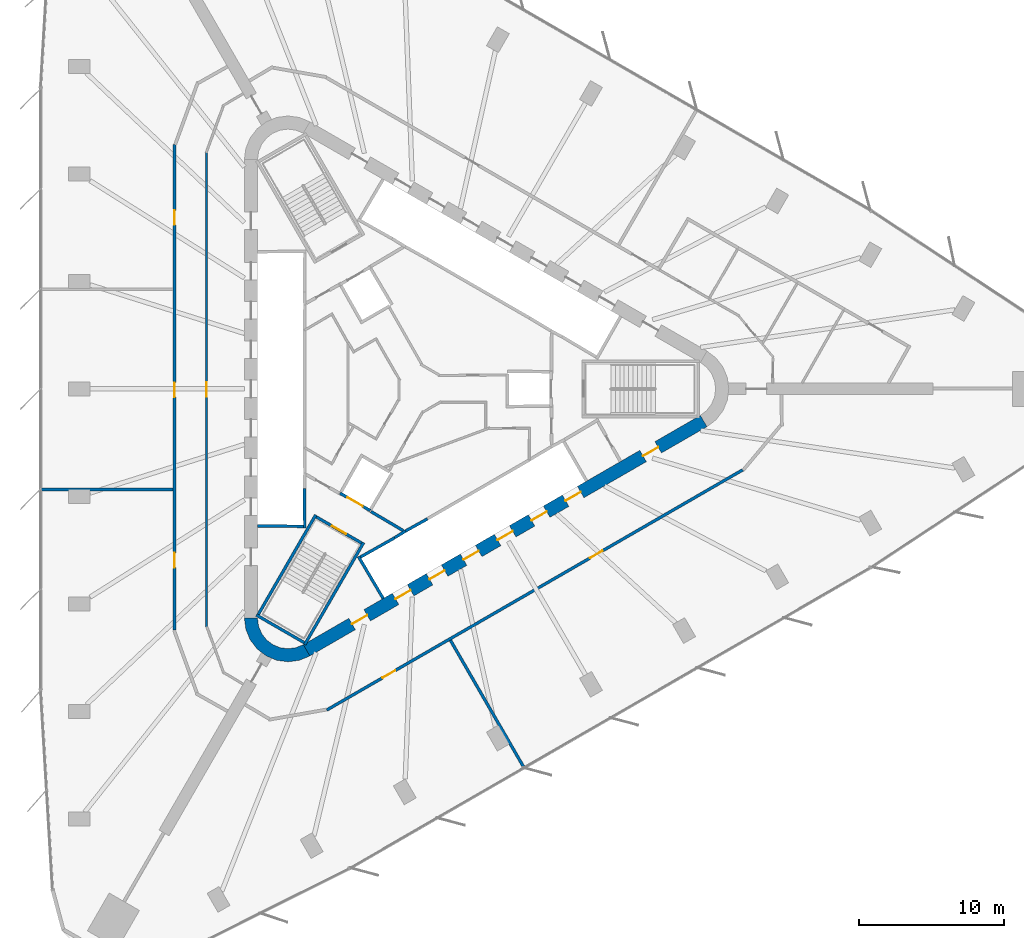
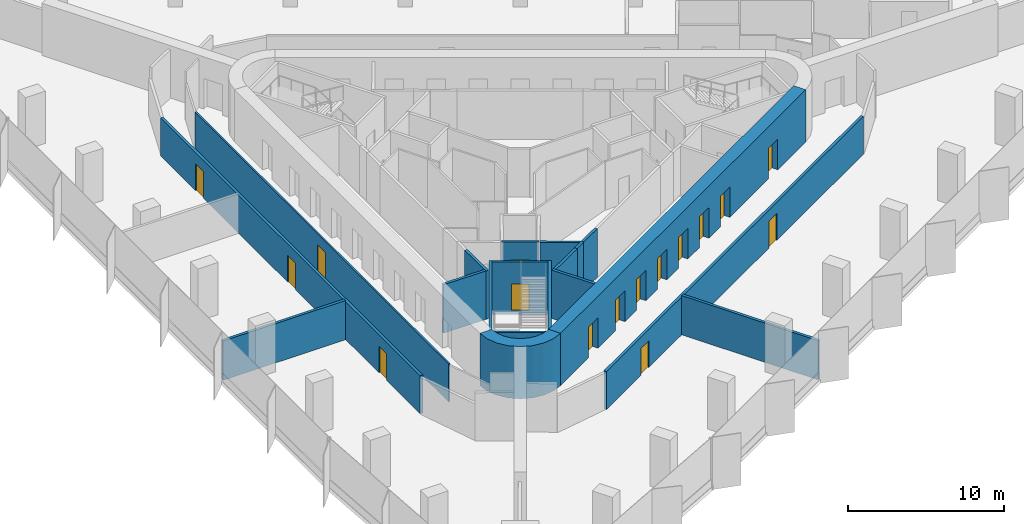
# One storey, part 9 of 14: 19 walls, 16 doors, 16 openings.
"""IFC4 building model written with IfcOpenShell, lengths in metres."""

from ifc_helpers import new_model, si_unit, direction, frame, frame_2d, origin, place, context, subcontext, project, spatial, polyline, rectangle, outline, extrude, material, layer, layer_set, type_object, element, fill, save


model = new_model("IFC4")

# Units and contexts
model_context = context("Model", 3, precision=1e-05, world=origin(), true_north=direction((0.0, 1.0)))
body_context = subcontext(model_context, "Body", "Model", "MODEL_VIEW")
ifc_project = project(units=[si_unit("LENGTHUNIT", "METRE"), si_unit("AREAUNIT", "SQUARE_METRE"), si_unit("VOLUMEUNIT", "CUBIC_METRE"), si_unit("PLANEANGLEUNIT", "RADIAN"), si_unit("MASSUNIT", "GRAM", prefix="KILO")], contexts=[model_context])

# Site, building, storey
site_placement = place(None, origin())
site = spatial("IfcSite", under=ifc_project, at=site_placement, CompositionType="ELEMENT")
building_placement = place(site_placement, origin())
building = spatial("IfcBuilding", under=site, at=building_placement, Name="Tanit Gate Tower", CompositionType="ELEMENT")
storey_placement = place(building_placement, frame((0.0, 0.0, 53.699951171875)))
storey = spatial("IfcBuildingStorey", under=building, at=storey_placement, Name="L09", CompositionType="ELEMENT", Elevation=53.699951171875)

# Wall, openings, doors
ifc_material_1 = material(Name="Concrete C60/75", Category="concrete")
ifc_layer_1 = layer(ifc_material_1, 0.89990234375)
ifc_layer_set_1 = layer_set([ifc_layer_1], Name="CORE WALL 900 C60/75")
wall_type_1 = type_object("IfcWallType", Name="CORE WALL 900 C60/75", PredefinedType="SHEAR", material=ifc_layer_set_1)
wall_1_placement = place(storey_placement, frame((-7.824951171875, -17.969970703125, 0.0), z_axis=(0.0, 0.0, 1.0), x_axis=(0.866028369851, 0.499994862586, 0.0)))
wall_1 = element("IfcWall", 1, at=wall_1_placement, inside=storey, type_object=wall_type_1, Name="CORE WALL", PredefinedType="SHEAR", context=body_context, shape_type="SweptSolid", body=[
    extrude(rectangle(XDim=31.523193359375, YDim=0.89990234375, at=frame_2d((15.76171875, 0.0))), origin(), (0.0, 0.0, 1.0), 4.10009765625),
])
opening_1_placement = place(wall_1_placement, frame((7.061767578125, 0.0, 0.0)))
opening_1 = element("IfcOpeningElement", 2, at=opening_1_placement, cuts=wall_1, Name="Opening LDSX1-S00", PredefinedType="OPENING", context=body_context, shape_type="SweptSolid", body=[
    extrude(rectangle(XDim=1.199951171875, YDim=2.39990234375, at=frame_2d((0.60009765625, 1.199951171875))), frame((0.0, 0.4599609375, 0.0), z_axis=(0.0, -1.0, 0.0), x_axis=(1.0, 0.0, 0.0)), (0.0, 0.0, 1.0), 0.919921875),
])
opening_2_placement = place(wall_1_placement, frame((9.76171875, 0.0, 0.0)))
opening_2 = element("IfcOpeningElement", 3, at=opening_2_placement, cuts=wall_1, Name="Opening LDSX2-S00", PredefinedType="OPENING", context=body_context, shape_type="SweptSolid", body=[
    extrude(rectangle(XDim=1.199951171875, YDim=2.39990234375, at=frame_2d((0.60009765625, 1.199951171875))), frame((0.0, 0.4599609375, 0.0), z_axis=(0.0, -1.0, 0.0), x_axis=(1.0, 0.0, 0.0)), (0.0, 0.0, 1.0), 0.919921875),
])
opening_3_placement = place(wall_1_placement, frame((12.461669921875, 0.0, 0.0)))
opening_3 = element("IfcOpeningElement", 4, at=opening_3_placement, cuts=wall_1, Name="Opening LDSX3-S00", PredefinedType="OPENING", context=body_context, shape_type="SweptSolid", body=[
    extrude(rectangle(XDim=1.199951171875, YDim=2.39990234375, at=frame_2d((0.60009765625, 1.199951171875))), frame((0.0, 0.4599609375, 0.0), z_axis=(0.0, -1.0, 0.0), x_axis=(1.0, 0.0, 0.0)), (0.0, 0.0, 1.0), 0.919921875),
])
opening_4_placement = place(wall_1_placement, frame((15.16162109375, 0.0, 0.0)))
opening_4 = element("IfcOpeningElement", 5, at=opening_4_placement, cuts=wall_1, Name="Opening LDSX4-S00", PredefinedType="OPENING", context=body_context, shape_type="SweptSolid", body=[
    extrude(rectangle(XDim=1.199951171875, YDim=2.39990234375, at=frame_2d((0.60009765625, 1.199951171875))), frame((0.0, 0.4599609375, 0.0), z_axis=(0.0, -1.0, 0.0), x_axis=(1.0, 0.0, 0.0)), (0.0, 0.0, 1.0), 0.919921875),
])
opening_5_placement = place(wall_1_placement, frame((17.861572265625, 0.0, 0.0)))
opening_5 = element("IfcOpeningElement", 6, at=opening_5_placement, cuts=wall_1, Name="Opening LDSV1-S00", PredefinedType="OPENING", context=body_context, shape_type="SweptSolid", body=[
    extrude(rectangle(XDim=1.199951171875, YDim=2.39990234375, at=frame_2d((0.60009765625, 1.199951171875))), frame((0.0, 0.4599609375, 0.0), z_axis=(0.0, -1.0, 0.0), x_axis=(1.0, 0.0, 0.0)), (0.0, 0.0, 1.0), 0.919921875),
])
opening_6_placement = place(wall_1_placement, frame((20.561767578125, 0.0, 0.0)))
opening_6 = element("IfcOpeningElement", 7, at=opening_6_placement, cuts=wall_1, Name="Opening LDSV2-S00", PredefinedType="OPENING", context=body_context, shape_type="SweptSolid", body=[
    extrude(rectangle(XDim=1.199951171875, YDim=2.39990234375, at=frame_2d((0.60009765625, 1.199951171875))), frame((0.0, 0.4599609375, 0.0), z_axis=(0.0, -1.0, 0.0), x_axis=(1.0, 0.0, 0.0)), (0.0, 0.0, 1.0), 0.919921875),
])
opening_7_placement = place(wall_1_placement, frame((26.711669921875, 0.0, 0.0)))
opening_7 = element("IfcOpeningElement", 8, at=opening_7_placement, cuts=wall_1, Name="Opening F12-S00-S1", PredefinedType="OPENING", context=body_context, shape_type="SweptSolid", body=[
    extrude(rectangle(XDim=1.199951171875, YDim=2.39990234375, at=frame_2d((0.60009765625, 1.199951171875))), frame((0.0, 0.4599609375, 0.0), z_axis=(0.0, -1.0, 0.0), x_axis=(1.0, 0.0, 0.0)), (0.0, 0.0, 1.0), 0.919921875),
])
opening_8_placement = place(wall_1_placement, frame((3.611572265625, 0.0, 0.0)))
opening_8 = element("IfcOpeningElement", 9, at=opening_8_placement, cuts=wall_1, Name="Opening F12-S00-FL3", PredefinedType="OPENING", context=body_context, shape_type="SweptSolid", body=[
    extrude(rectangle(XDim=1.199951171875, YDim=2.39990234375, at=frame_2d((0.60009765625, 1.199951171875))), frame((0.0, 0.4599609375, 0.0), z_axis=(0.0, -1.0, 0.0), x_axis=(1.0, 0.0, 0.0)), (0.0, 0.0, 1.0), 0.919921875),
])
ifc_material_2 = material(Name="Fire-rated steel door leaf", Category="steel")
door_type_1 = type_object("IfcDoorType", Name="INT-DOOR-FIRE-LOBBY-1200", OperationType="NOTDEFINED", PredefinedType="USERDEFINED", material=ifc_material_2)
door_1_placement = place(opening_7_placement, origin())
door_1 = element("IfcDoor", 10, at=door_1_placement, inside=storey, type_object=door_type_1, Name="Door F12-S00-S1", ObjectType="FIRE DOOR", OperationType="SINGLE_SWING_RIGHT", OverallHeight=2.39990234375, OverallWidth=1.199951171875, PredefinedType="USERDEFINED", context=body_context, shape_type="SweptSolid", body=[
    extrude(rectangle(XDim=1.199951171875, YDim=2.39990234375, at=frame_2d((0.60009765625, 1.199951171875))), frame((0.0, 0.02490234375, 0.0), z_axis=(0.0, -1.0, 0.0), x_axis=(1.0, 0.0, 0.0)), (0.0, 0.0, 1.0), 0.050048828125),
])
fill(opening_7, door_1)
door_2_placement = place(opening_8_placement, origin())
door_2 = element("IfcDoor", 11, at=door_2_placement, inside=storey, type_object=door_type_1, Name="Door F12-S00-FL3", ObjectType="FIRE DOOR", OperationType="SINGLE_SWING_LEFT", OverallHeight=2.39990234375, OverallWidth=1.199951171875, PredefinedType="USERDEFINED", context=body_context, shape_type="SweptSolid", body=[
    extrude(rectangle(XDim=1.199951171875, YDim=2.39990234375, at=frame_2d((0.60009765625, 1.199951171875))), frame((0.0, 0.02490234375, 0.0), z_axis=(0.0, -1.0, 0.0), x_axis=(1.0, 0.0, 0.0)), (0.0, 0.0, 1.0), 0.050048828125),
])
fill(opening_8, door_2)
ifc_material_3 = material(Name="Stainless steel sliding door leaf", Category="steel")
door_type_2 = type_object("IfcDoorType", Name="INT-DOOR-LANDING-1200", OperationType="NOTDEFINED", PredefinedType="USERDEFINED", material=ifc_material_3)
door_3_placement = place(opening_1_placement, origin())
door_3 = element("IfcDoor", 12, at=door_3_placement, inside=storey, type_object=door_type_2, Name="Door LDSX1-S00", ObjectType="LANDING DOOR", OperationType="SLIDING_TO_LEFT", OverallHeight=2.39990234375, OverallWidth=1.199951171875, PredefinedType="USERDEFINED", context=body_context, shape_type="SweptSolid", body=[
    extrude(rectangle(XDim=1.199951171875, YDim=2.39990234375, at=frame_2d((0.60009765625, 1.199951171875))), frame((0.0, 0.02490234375, 0.0), z_axis=(0.0, -1.0, 0.0), x_axis=(1.0, 0.0, 0.0)), (0.0, 0.0, 1.0), 0.050048828125),
])
fill(opening_1, door_3)
door_4_placement = place(opening_2_placement, origin())
door_4 = element("IfcDoor", 13, at=door_4_placement, inside=storey, type_object=door_type_2, Name="Door LDSX2-S00", ObjectType="LANDING DOOR", OperationType="SLIDING_TO_LEFT", OverallHeight=2.39990234375, OverallWidth=1.199951171875, PredefinedType="USERDEFINED", context=body_context, shape_type="SweptSolid", body=[
    extrude(rectangle(XDim=1.199951171875, YDim=2.39990234375, at=frame_2d((0.60009765625, 1.199951171875))), frame((0.0, 0.02490234375, 0.0), z_axis=(0.0, -1.0, 0.0), x_axis=(1.0, 0.0, 0.0)), (0.0, 0.0, 1.0), 0.050048828125),
])
fill(opening_2, door_4)
door_5_placement = place(opening_3_placement, origin())
door_5 = element("IfcDoor", 14, at=door_5_placement, inside=storey, type_object=door_type_2, Name="Door LDSX3-S00", ObjectType="LANDING DOOR", OperationType="SLIDING_TO_LEFT", OverallHeight=2.39990234375, OverallWidth=1.199951171875, PredefinedType="USERDEFINED", context=body_context, shape_type="SweptSolid", body=[
    extrude(rectangle(XDim=1.199951171875, YDim=2.39990234375, at=frame_2d((0.60009765625, 1.199951171875))), frame((0.0, 0.02490234375, 0.0), z_axis=(0.0, -1.0, 0.0), x_axis=(1.0, 0.0, 0.0)), (0.0, 0.0, 1.0), 0.050048828125),
])
fill(opening_3, door_5)
door_6_placement = place(opening_4_placement, origin())
door_6 = element("IfcDoor", 15, at=door_6_placement, inside=storey, type_object=door_type_2, Name="Door LDSX4-S00", ObjectType="LANDING DOOR", OperationType="SLIDING_TO_LEFT", OverallHeight=2.39990234375, OverallWidth=1.199951171875, PredefinedType="USERDEFINED", context=body_context, shape_type="SweptSolid", body=[
    extrude(rectangle(XDim=1.199951171875, YDim=2.39990234375, at=frame_2d((0.60009765625, 1.199951171875))), frame((0.0, 0.02490234375, 0.0), z_axis=(0.0, -1.0, 0.0), x_axis=(1.0, 0.0, 0.0)), (0.0, 0.0, 1.0), 0.050048828125),
])
fill(opening_4, door_6)
door_7_placement = place(opening_5_placement, origin())
door_7 = element("IfcDoor", 16, at=door_7_placement, inside=storey, type_object=door_type_2, Name="Door LDSV1-S00", ObjectType="LANDING DOOR", OperationType="SLIDING_TO_LEFT", OverallHeight=2.39990234375, OverallWidth=1.199951171875, PredefinedType="USERDEFINED", context=body_context, shape_type="SweptSolid", body=[
    extrude(rectangle(XDim=1.199951171875, YDim=2.39990234375, at=frame_2d((0.60009765625, 1.199951171875))), frame((0.0, 0.02490234375, 0.0), z_axis=(0.0, -1.0, 0.0), x_axis=(1.0, 0.0, 0.0)), (0.0, 0.0, 1.0), 0.050048828125),
])
fill(opening_5, door_7)
door_8_placement = place(opening_6_placement, origin())
door_8 = element("IfcDoor", 17, at=door_8_placement, inside=storey, type_object=door_type_2, Name="Door LDSV2-S00", ObjectType="LANDING DOOR", OperationType="SLIDING_TO_LEFT", OverallHeight=2.39990234375, OverallWidth=1.199951171875, PredefinedType="USERDEFINED", context=body_context, shape_type="SweptSolid", body=[
    extrude(rectangle(XDim=1.199951171875, YDim=2.39990234375, at=frame_2d((0.60009765625, 1.199951171875))), frame((0.0, 0.02490234375, 0.0), z_axis=(0.0, -1.0, 0.0), x_axis=(1.0, 0.0, 0.0)), (0.0, 0.0, 1.0), 0.050048828125),
])
fill(opening_6, door_8)

# Walls
wall_2_placement = place(storey_placement, origin())
element("IfcWall", 18, at=wall_2_placement, inside=storey, type_object=wall_type_1, Name="CORE WALL CORNER", PredefinedType="SHEAR", context=body_context, shape_type="SweptSolid", body=[
    extrude(outline(polyline([(-12.10009765625, -15.76171875), (-11.997802734375, -16.5380859375), (-11.697998046875, -17.26171875), (-11.22119140625, -17.883056640625), (-10.60009765625, -18.359619140625), (-9.87646484375, -18.659423828125), (-9.10009765625, -18.76171875), (-8.323486328125, -18.659423828125), (-7.60009765625, -18.359619140625), (-8.050048828125, -17.580322265625), (-8.556396484375, -17.7900390625), (-9.10009765625, -17.86181640625), (-9.6435546875, -17.7900390625), (-10.14990234375, -17.580322265625), (-10.5849609375, -17.24658203125), (-10.918701171875, -16.811767578125), (-11.12841796875, -16.30517578125), (-11.199951171875, -15.76171875), (-12.10009765625, -15.76171875)])), origin(), (0.0, 0.0, 1.0), 4.10009765625),
])
ifc_material_4 = material(Name="Fire-rated gypsum board partition")
ifc_layer_2 = layer(ifc_material_4, 0.199951171875)
ifc_layer_set_2 = layer_set([ifc_layer_2], Name="INT-WALL-COMPARTMENT")
wall_type_2 = type_object("IfcWallType", Name="INT-WALL-COMPARTMENT", PredefinedType="PARTITIONING", material=ifc_layer_set_2)
wall_3_placement = place(storey_placement, frame((-3.400634765625, -8.43017578125, 0.0), z_axis=(0.0, 0.0, 1.0), x_axis=(0.860615607571, -0.509255118781, 0.0)))
element("IfcWall", 19, at=wall_3_placement, inside=storey, type_object=wall_type_2, Name="Wall Compartment W063", PredefinedType="PARTITIONING", context=body_context, shape_type="SweptSolid", body=[
    extrude(rectangle(XDim=2.58056640625, YDim=0.199951171875, at=frame_2d((1.290283203125, 0.0))), origin(), (0.0, 0.0, 1.0), 3.800048828125),
])

# Wall, openings, doors
wall_4_placement = place(storey_placement, frame((-16.89990234375, 16.787353515625, 0.0), z_axis=(0.0, 0.0, 1.0), x_axis=(0.0, -1.0, 0.0)))
wall_4 = element("IfcWall", 20, at=wall_4_placement, inside=storey, type_object=wall_type_2, Name="Wall Compartment W097", PredefinedType="PARTITIONING", context=body_context, shape_type="SweptSolid", body=[
    extrude(rectangle(XDim=33.374755859375, YDim=0.199951171875, at=frame_2d((16.6875, 0.0))), origin(), (0.0, 0.0, 1.0), 2.97998046875),
])
opening_9_placement = place(wall_4_placement, frame((28.066650390625, 0.0, 0.0)))
opening_9 = element("IfcOpeningElement", 21, at=opening_9_placement, cuts=wall_4, Name="Opening F10-S00-21", PredefinedType="OPENING", context=body_context, shape_type="SweptSolid", body=[
    extrude(rectangle(XDim=1.0, YDim=2.10009765625, at=frame_2d((0.5, 1.050048828125))), frame((0.0, 0.10986328125, 0.0), z_axis=(0.0, -1.0, 0.0), x_axis=(1.0, 0.0, 0.0)), (0.0, 0.0, 1.0), 0.219970703125),
])
opening_10_placement = place(wall_4_placement, frame((16.3466796875, 0.0, 0.0)))
opening_10 = element("IfcOpeningElement", 22, at=opening_10_placement, cuts=wall_4, Name="Opening F10-S00-22", PredefinedType="OPENING", context=body_context, shape_type="SweptSolid", body=[
    extrude(rectangle(XDim=1.0, YDim=2.10009765625, at=frame_2d((0.5, 1.050048828125))), frame((0.0, 0.10986328125, 0.0), z_axis=(0.0, -1.0, 0.0), x_axis=(1.0, 0.0, 0.0)), (0.0, 0.0, 1.0), 0.219970703125),
])
opening_11_placement = place(wall_4_placement, frame((4.517578125, 0.0, 0.0)))
opening_11 = element("IfcOpeningElement", 23, at=opening_11_placement, cuts=wall_4, Name="Opening F10-S00-23", PredefinedType="OPENING", context=body_context, shape_type="SweptSolid", body=[
    extrude(rectangle(XDim=1.0, YDim=2.10009765625, at=frame_2d((0.5, 1.050048828125))), frame((0.0, 0.10986328125, 0.0), z_axis=(0.0, -1.0, 0.0), x_axis=(1.0, 0.0, 0.0)), (0.0, 0.0, 1.0), 0.219970703125),
])
ifc_material_5 = material(Name="Fire-rated steel door leaf", Category="steel")
door_type_3 = type_object("IfcDoorType", Name="INT-DOOR-FIRE-1000", OperationType="NOTDEFINED", PredefinedType="USERDEFINED", material=ifc_material_5)
door_9_placement = place(opening_9_placement, origin())
door_9 = element("IfcDoor", 24, at=door_9_placement, inside=storey, type_object=door_type_3, Name="Door F10-S00-21", ObjectType="FIRE DOOR", OperationType="SINGLE_SWING_LEFT", OverallHeight=2.10009765625, OverallWidth=1.0, PredefinedType="USERDEFINED", context=body_context, shape_type="SweptSolid", body=[
    extrude(rectangle(XDim=1.0, YDim=2.10009765625, at=frame_2d((0.5, 1.050048828125))), frame((0.0, 0.02490234375, 0.0), z_axis=(0.0, -1.0, 0.0), x_axis=(1.0, 0.0, 0.0)), (0.0, 0.0, 1.0), 0.050048828125),
])
fill(opening_9, door_9)
door_10_placement = place(opening_10_placement, origin())
door_10 = element("IfcDoor", 25, at=door_10_placement, inside=storey, type_object=door_type_3, Name="Door F10-S00-22", ObjectType="FIRE DOOR", OperationType="SINGLE_SWING_RIGHT", OverallHeight=2.10009765625, OverallWidth=1.0, PredefinedType="USERDEFINED", context=body_context, shape_type="SweptSolid", body=[
    extrude(rectangle(XDim=1.0, YDim=2.10009765625, at=frame_2d((0.5, 1.050048828125))), frame((0.0, 0.02490234375, 0.0), z_axis=(0.0, -1.0, 0.0), x_axis=(1.0, 0.0, 0.0)), (0.0, 0.0, 1.0), 0.050048828125),
])
fill(opening_10, door_10)
door_11_placement = place(opening_11_placement, origin())
door_11 = element("IfcDoor", 26, at=door_11_placement, inside=storey, type_object=door_type_3, Name="Door F10-S00-23", ObjectType="FIRE DOOR", OperationType="SINGLE_SWING_RIGHT", OverallHeight=2.10009765625, OverallWidth=1.0, PredefinedType="USERDEFINED", context=body_context, shape_type="SweptSolid", body=[
    extrude(rectangle(XDim=1.0, YDim=2.10009765625, at=frame_2d((0.5, 1.050048828125))), frame((0.0, 0.02490234375, 0.0), z_axis=(0.0, -1.0, 0.0), x_axis=(1.0, 0.0, 0.0)), (0.0, 0.0, 1.0), 0.050048828125),
])
fill(opening_11, door_11)

wall_5_placement = place(storey_placement, frame((-6.435546875, -22.075439453125, 0.0), z_axis=(0.0, 0.0, 1.0), x_axis=(0.866022453651, 0.500005109747, 0.0)))
wall_5 = element("IfcWall", 27, at=wall_5_placement, inside=storey, type_object=wall_type_2, Name="Wall Compartment W112", PredefinedType="PARTITIONING", context=body_context, shape_type="SweptSolid", body=[
    extrude(rectangle(XDim=33.022216796875, YDim=0.199951171875, at=frame_2d((16.51123046875, 0.0))), origin(), (0.0, 0.0, 1.0), 2.97998046875),
])
opening_12_placement = place(wall_5_placement, frame((20.890380859375, 0.0, 0.0)))
opening_12 = element("IfcOpeningElement", 28, at=opening_12_placement, cuts=wall_5, Name="Opening F10-S00-26", PredefinedType="OPENING", context=body_context, shape_type="SweptSolid", body=[
    extrude(rectangle(XDim=1.0, YDim=2.10009765625, at=frame_2d((0.5, 1.050048828125))), frame((0.0, 0.10986328125, 0.0), z_axis=(0.0, -1.0, 0.0), x_axis=(1.0, 0.0, 0.0)), (0.0, 0.0, 1.0), 0.219970703125),
])
opening_13_placement = place(wall_5_placement, frame((4.42919921875, 0.0, 0.0)))
opening_13 = element("IfcOpeningElement", 29, at=opening_13_placement, cuts=wall_5, Name="Opening F10-S00-27", PredefinedType="OPENING", context=body_context, shape_type="SweptSolid", body=[
    extrude(rectangle(XDim=1.0, YDim=2.10009765625, at=frame_2d((0.5, 1.050048828125))), frame((0.0, 0.10986328125, 0.0), z_axis=(0.0, -1.0, 0.0), x_axis=(1.0, 0.0, 0.0)), (0.0, 0.0, 1.0), 0.219970703125),
])
door_12_placement = place(opening_12_placement, origin())
door_12 = element("IfcDoor", 30, at=door_12_placement, inside=storey, type_object=door_type_3, Name="Door F10-S00-26", ObjectType="FIRE DOOR", OperationType="SINGLE_SWING_LEFT", OverallHeight=2.10009765625, OverallWidth=1.0, PredefinedType="USERDEFINED", context=body_context, shape_type="SweptSolid", body=[
    extrude(rectangle(XDim=1.0, YDim=2.10009765625, at=frame_2d((0.5, 1.050048828125))), frame((0.0, 0.02490234375, 0.0), z_axis=(0.0, -1.0, 0.0), x_axis=(1.0, 0.0, 0.0)), (0.0, 0.0, 1.0), 0.050048828125),
])
fill(opening_12, door_12)
door_13_placement = place(opening_13_placement, origin())
door_13 = element("IfcDoor", 31, at=door_13_placement, inside=storey, type_object=door_type_3, Name="Door F10-S00-27", ObjectType="FIRE DOOR", OperationType="SINGLE_SWING_LEFT", OverallHeight=2.10009765625, OverallWidth=1.0, PredefinedType="USERDEFINED", context=body_context, shape_type="SweptSolid", body=[
    extrude(rectangle(XDim=1.0, YDim=2.10009765625, at=frame_2d((0.5, 1.050048828125))), frame((0.0, 0.02490234375, 0.0), z_axis=(0.0, -1.0, 0.0), x_axis=(1.0, 0.0, 0.0)), (0.0, 0.0, 1.0), 0.050048828125),
])
fill(opening_13, door_13)

# Walls
wall_6_placement = place(storey_placement, frame((-17.0, -6.9111328125, 0.0), z_axis=(0.0, 0.0, 1.0), x_axis=(-0.999999996767, -8.0416019e-05, 0.0)))
element("IfcWall", 32, at=wall_6_placement, inside=storey, type_object=wall_type_2, Name="Wall Compartment W115", PredefinedType="PARTITIONING", context=body_context, shape_type="SweptSolid", body=[
    extrude(rectangle(XDim=9.10791015625, YDim=0.199951171875, at=frame_2d((4.553955078125, 0.0))), origin(), (0.0, 0.0, 1.0), 3.080078125),
])
wall_7_placement = place(storey_placement, frame((2.065673828125, -17.28271484375, 0.0), z_axis=(0.0, 0.0, 1.0), x_axis=(0.5000534592, -0.865994536901, 0.0)))
element("IfcWall", 33, at=wall_7_placement, inside=storey, type_object=wall_type_2, Name="Wall Compartment W130", PredefinedType="PARTITIONING", context=body_context, shape_type="SweptSolid", body=[
    extrude(rectangle(XDim=10.10888671875, YDim=0.199951171875, at=frame_2d((5.054443359375, 0.0))), origin(), (0.0, 0.0, 1.0), 3.080078125),
])

# Wall, opening, door
ifc_material_6 = material(Name="Gypsum board partition")
ifc_layer_3 = layer(ifc_material_6, 0.1201171875)
ifc_layer_set_3 = layer_set([ifc_layer_3], Name="INT-WALL-PARTITION")
wall_type_3 = type_object("IfcWallType", Name="INT-WALL-PARTITION", PredefinedType="PARTITIONING", material=ifc_layer_set_3)
wall_8_placement = place(storey_placement, frame((-14.699951171875, 16.239501953125, 0.0), z_axis=(0.0, 0.0, 1.0), x_axis=(0.0, -1.0, 0.0)))
wall_8 = element("IfcWall", 34, at=wall_8_placement, inside=storey, type_object=wall_type_3, Name="Wall Partition W090", PredefinedType="PARTITIONING", context=body_context, shape_type="SweptSolid", body=[
    extrude(rectangle(XDim=32.598876953125, YDim=0.1201171875, at=frame_2d((16.29931640625, 0.0))), origin(), (0.0, 0.0, 1.0), 2.97998046875),
])
opening_14_placement = place(wall_8_placement, frame((15.76953125, 0.0, 0.0)))
opening_14 = element("IfcOpeningElement", 35, at=opening_14_placement, cuts=wall_8, Name="Opening D10-S00-16", PredefinedType="OPENING", context=body_context, shape_type="SweptSolid", body=[
    extrude(rectangle(XDim=1.0, YDim=2.10009765625, at=frame_2d((0.5, 1.050048828125))), frame((0.0, 0.070068359375, 0.0), z_axis=(0.0, -1.0, 0.0), x_axis=(1.0, 0.0, 0.0)), (0.0, 0.0, 1.0), 0.14013671875),
])
ifc_material_7 = material(Name="Timber door leaf", Category="wood")
door_type_4 = type_object("IfcDoorType", Name="INT-DOOR-SINGLE-1000", OperationType="NOTDEFINED", PredefinedType="NOTDEFINED", material=ifc_material_7)
door_14_placement = place(opening_14_placement, origin())
door_14 = element("IfcDoor", 36, at=door_14_placement, inside=storey, type_object=door_type_4, Name="Door D10-S00-16", OperationType="SINGLE_SWING_RIGHT", OverallHeight=2.10009765625, OverallWidth=1.0, PredefinedType="NOTDEFINED", context=body_context, shape_type="SweptSolid", body=[
    extrude(rectangle(XDim=1.0, YDim=2.10009765625, at=frame_2d((0.5, 1.050048828125))), frame((0.0, 0.02490234375, 0.0), z_axis=(0.0, -1.0, 0.0), x_axis=(1.0, 0.0, 0.0)), (0.0, 0.0, 1.0), 0.050048828125),
])
fill(opening_14, door_14)

# Walls
ifc_material_8 = material(Name="Gypsum shaft wall system")
ifc_layer_4 = layer(ifc_material_8, 0.199951171875)
ifc_layer_set_4 = layer_set([ifc_layer_4], Name="INT-WALL-SHAFT")
wall_type_4 = type_object("IfcWallType", Name="INT-WALL-SHAFT", PredefinedType="PLUMBINGWALL", material=ifc_layer_set_4)
wall_9_placement = place(storey_placement, frame((-7.97900390625, -6.85009765625, 0.0), z_axis=(0.0, 0.0, 1.0), x_axis=(0.011121475088, -0.999938154483, 0.0)))
element("IfcWall", 37, at=wall_9_placement, inside=storey, type_object=wall_type_4, Name="Wall Shaft W011", PredefinedType="PLUMBINGWALL", context=body_context, shape_type="SweptSolid", body=[
    extrude(rectangle(XDim=2.7001953125, YDim=0.199951171875, at=frame_2d((1.35009765625, 0.0))), origin(), (0.0, 0.0, 1.0), 3.800048828125),
])
wall_10_placement = place(storey_placement, frame((-8.050048828125, -9.448974609375, 0.0), z_axis=(0.0, 0.0, 1.0), x_axis=(-0.999957467379, 0.009222983926, 0.0)))
element("IfcWall", 38, at=wall_10_placement, inside=storey, type_object=wall_type_4, Name="Wall Shaft W012", PredefinedType="PLUMBINGWALL", context=body_context, shape_type="SweptSolid", body=[
    extrude(rectangle(XDim=3.150146484375, YDim=0.199951171875, at=frame_2d((1.5751953125, 0.0))), origin(), (0.0, 0.0, 1.0), 3.800048828125),
])
wall_11_placement = place(storey_placement, frame((-2.557861328125, -14.409423828125, 0.0), z_axis=(0.0, 0.0, 1.0), x_axis=(-0.507997497166, 0.861358544901, 0.0)))
element("IfcWall", 39, at=wall_11_placement, inside=storey, type_object=wall_type_4, Name="Wall Shaft W027", PredefinedType="PLUMBINGWALL", context=body_context, shape_type="SweptSolid", body=[
    extrude(rectangle(XDim=3.350341796875, YDim=0.199951171875, at=frame_2d((1.67529296875, 0.0))), origin(), (0.0, 0.0, 1.0), 3.800048828125),
])
wall_12_placement = place(storey_placement, frame((-1.7685546875, -10.23681640625, 0.0), z_axis=(0.0, 0.0, 1.0), x_axis=(-0.871534483978, -0.490334215854, 0.0)))
element("IfcWall", 40, at=wall_12_placement, inside=storey, type_object=wall_type_4, Name="Wall Shaft W028", PredefinedType="PLUMBINGWALL", context=body_context, shape_type="SweptSolid", body=[
    extrude(rectangle(XDim=2.7001953125, YDim=0.199951171875, at=frame_2d((1.35009765625, 0.0))), origin(), (0.0, 0.0, 1.0), 3.800048828125),
])
wall_13_placement = place(storey_placement, frame((-1.02392578125, -9.77099609375, 0.0), z_axis=(0.0, 0.0, 1.0), x_axis=(-0.850348075135, -0.526220629693, 0.0)))
element("IfcWall", 41, at=wall_13_placement, inside=storey, type_object=wall_type_4, Name="Wall Shaft W029", PredefinedType="PLUMBINGWALL", context=body_context, shape_type="SweptSolid", body=[
    extrude(rectangle(XDim=0.878173828125, YDim=0.199951171875, at=frame_2d((0.43896484375, 0.0))), origin(), (0.0, 0.0, 1.0), 3.800048828125),
])
wall_14_placement = place(storey_placement, frame((-1.130126953125, -9.831298828125, 0.0), z_axis=(0.0, 0.0, 1.0), x_axis=(0.874269620932, 0.485440655401, 0.0)))
element("IfcWall", 42, at=wall_14_placement, inside=storey, type_object=wall_type_4, Name="Wall Shaft W030", PredefinedType="PLUMBINGWALL", context=body_context, shape_type="SweptSolid", body=[
    extrude(rectangle(XDim=1.8447265625, YDim=0.199951171875, at=frame_2d((0.92236328125, 0.0))), origin(), (0.0, 0.0, 1.0), 3.800048828125),
])

# Wall, opening, door
wall_15_placement = place(storey_placement, frame((-3.44580078125, -8.3681640625, 0.0), z_axis=(0.0, 0.0, 1.0), x_axis=(-0.866024647952, 0.500001309137, 0.0)))
wall_15 = element("IfcWall", 43, at=wall_15_placement, inside=storey, type_object=wall_type_4, Name="Wall Shaft W053", PredefinedType="PLUMBINGWALL", context=body_context, shape_type="SweptSolid", body=[
    extrude(rectangle(XDim=2.39990234375, YDim=0.199951171875, at=frame_2d((1.199951171875, 0.0))), origin(), (0.0, 0.0, 1.0), 3.800048828125),
])
opening_15_placement = place(wall_15_placement, frame((0.60009765625, 0.0, 0.0)))
opening_15 = element("IfcOpeningElement", 44, at=opening_15_placement, cuts=wall_15, Name="Opening LDFL3-L09", PredefinedType="OPENING", context=body_context, shape_type="SweptSolid", body=[
    extrude(rectangle(XDim=1.199951171875, YDim=2.39990234375, at=frame_2d((0.60009765625, 1.199951171875))), frame((0.0, 0.10986328125, 0.0), z_axis=(0.0, -1.0, 0.0), x_axis=(1.0, 0.0, 0.0)), (0.0, 0.0, 1.0), 0.219970703125),
])
door_15_placement = place(opening_15_placement, origin())
door_15 = element("IfcDoor", 45, at=door_15_placement, inside=storey, type_object=door_type_2, Name="Door LDFL3-L09", ObjectType="LANDING DOOR", OperationType="SLIDING_TO_LEFT", OverallHeight=2.39990234375, OverallWidth=1.199951171875, PredefinedType="USERDEFINED", context=body_context, shape_type="SweptSolid", body=[
    extrude(rectangle(XDim=1.199951171875, YDim=2.39990234375, at=frame_2d((0.60009765625, 1.199951171875))), frame((0.0, 0.02490234375, 0.0), z_axis=(0.0, -1.0, 0.0), x_axis=(1.0, 0.0, 0.0)), (0.0, 0.0, 1.0), 0.050048828125),
])
fill(opening_15, door_15)

# Walls
ifc_material_9 = material(Name="Concrete C40/50", Category="concrete")
ifc_layer_5 = layer(ifc_material_9, 0.199951171875)
ifc_layer_set_5 = layer_set([ifc_layer_5], Name="INT-WALL-STAIR")
wall_type_5 = type_object("IfcWallType", Name="INT-WALL-STAIR", PredefinedType="SHEAR", material=ifc_layer_set_5)
wall_16_placement = place(storey_placement, frame((-3.904541015625, -10.56298828125, -0.300048828125), z_axis=(0.0, 0.0, 1.0), x_axis=(-0.500012932018, -0.866017937352, 0.0)))
element("IfcWall", 46, at=wall_16_placement, inside=storey, type_object=wall_type_5, Name="Wall Stair W049", PredefinedType="SHEAR", context=body_context, shape_type="SweptSolid", body=[
    extrude(rectangle(XDim=8.099853515625, YDim=0.199951171875, at=frame_2d((4.0498046875, 0.0))), origin(), (0.0, 0.0, 1.0), 4.10009765625),
])
wall_17_placement = place(storey_placement, frame((-11.281982421875, -15.541015625, -0.300048828125), z_axis=(0.0, 0.0, 1.0), x_axis=(0.866000483506, -0.500043160704, 0.0)))
element("IfcWall", 47, at=wall_17_placement, inside=storey, type_object=wall_type_5, Name="Wall Stair W050", PredefinedType="SHEAR", context=body_context, shape_type="SweptSolid", body=[
    extrude(rectangle(XDim=3.800048828125, YDim=0.199951171875, at=frame_2d((1.89990234375, 0.0))), origin(), (0.0, 0.0, 1.0), 4.10009765625),
])
wall_18_placement = place(storey_placement, frame((-7.195556640625, -8.662841796875, -0.300048828125), z_axis=(0.0, 0.0, 1.0), x_axis=(-0.499997992926, -0.866026562566, 0.0)))
element("IfcWall", 48, at=wall_18_placement, inside=storey, type_object=wall_type_5, Name="Wall Stair W051", PredefinedType="SHEAR", context=body_context, shape_type="SweptSolid", body=[
    extrude(rectangle(XDim=7.89990234375, YDim=0.199951171875, at=frame_2d((3.949951171875, 0.0))), origin(), (0.0, 0.0, 1.0), 4.10009765625),
])

# Wall, opening, door
wall_19_placement = place(storey_placement, frame((-4.041259765625, -10.599365234375, -0.300048828125), z_axis=(0.0, 0.0, 1.0), x_axis=(-0.866047807691, 0.499961193289, 0.0)))
wall_19 = element("IfcWall", 49, at=wall_19_placement, inside=storey, type_object=wall_type_5, Name="Wall Stair W052", PredefinedType="SHEAR", context=body_context, shape_type="SweptSolid", body=[
    extrude(rectangle(XDim=3.599853515625, YDim=0.199951171875, at=frame_2d((1.7998046875, 0.0))), origin(), (0.0, 0.0, 1.0), 4.10009765625),
])
opening_16_placement = place(wall_19_placement, frame((1.25, 0.0, 0.300048828125)))
opening_16 = element("IfcOpeningElement", 50, at=opening_16_placement, cuts=wall_19, Name="Opening S11-S00-07", PredefinedType="OPENING", context=body_context, shape_type="SweptSolid", body=[
    extrude(rectangle(XDim=1.10009765625, YDim=2.10009765625, at=frame_2d((0.550048828125, 1.050048828125))), frame((0.0, 0.10986328125, 0.0), z_axis=(0.0, -1.0, 0.0), x_axis=(1.0, 0.0, 0.0)), (0.0, 0.0, 1.0), 0.219970703125),
])
ifc_material_10 = material(Name="Timber door leaf", Category="wood")
door_type_5 = type_object("IfcDoorType", Name="INT-DOOR-STAIR-1100", OperationType="NOTDEFINED", PredefinedType="USERDEFINED", material=ifc_material_10)
door_16_placement = place(opening_16_placement, origin())
door_16 = element("IfcDoor", 51, at=door_16_placement, inside=storey, type_object=door_type_5, Name="Door S11-S00-07", ObjectType="FIRE DOOR", OperationType="SINGLE_SWING_LEFT", OverallHeight=2.10009765625, OverallWidth=1.10009765625, PredefinedType="USERDEFINED", context=body_context, shape_type="SweptSolid", body=[
    extrude(rectangle(XDim=1.10009765625, YDim=2.10009765625, at=frame_2d((0.550048828125, 1.050048828125))), frame((0.0, 0.02490234375, 0.0), z_axis=(0.0, -1.0, 0.0), x_axis=(1.0, 0.0, 0.0)), (0.0, 0.0, 1.0), 0.050048828125),
])
fill(opening_16, door_16)

save(model, "model.ifc")
